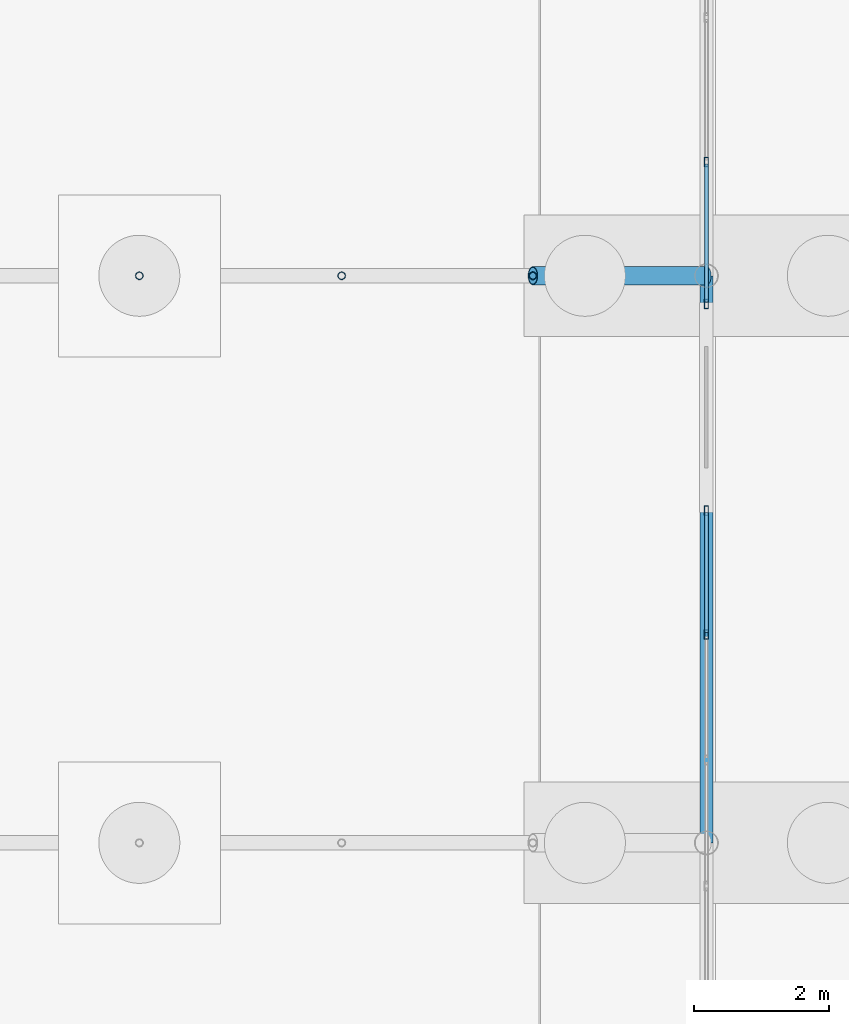
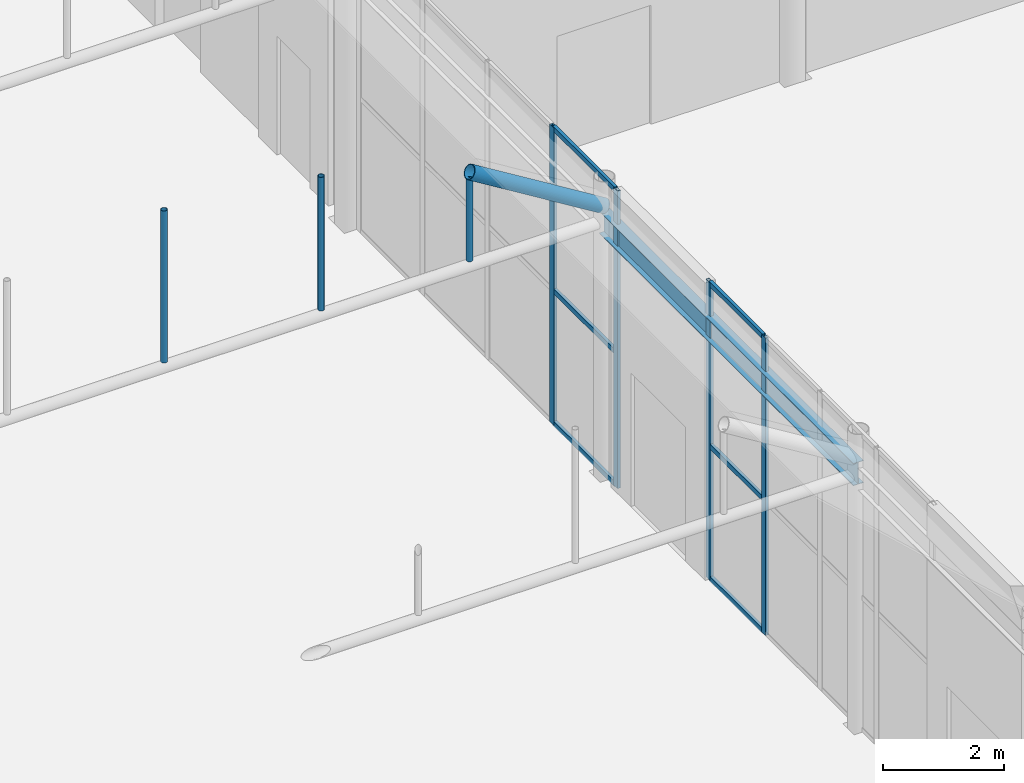
# One storey, part 94 of 212: 14 members, 1 beam, 2 elements without a shape of their own.
"""IFC4 building model written with IfcOpenShell, lengths in metres."""

import ifcopenshell
import ifcopenshell.guid

model = None  # the IFC model being written
_history = None  # IfcOwnerHistory: only IFC2X3 demands one
_inside = {}  # id of a spatial element -> (the spatial element, [elements in it])
_under = {}  # id of a project, library or spatial element -> (it, [spatial elements below it])
_declared = {}  # id of a project -> (the project, [libraries it declares])
_typed = {}  # id of a type object -> (the type object, [elements of that type])
_made_of = {}  # id of a material, layer set ... -> (it, [elements and type objects made of it])


def new_model(schema):
    """Start an empty IFC model of exactly this schema.

    Asked for "IFC4X3", IfcOpenShell would pick the latest addendum, in which some entities
    have other attributes; the version numbers below select the first issue.
    IFC2X3 requires an IfcOwnerHistory on every rooted entity: one is made here for all.
    """
    global model, _history
    if schema == "IFC4X3":
        model = ifcopenshell.file(schema_version=(4, 3, 0, 0))
    else:
        model = ifcopenshell.file(schema=schema)
    _inside.clear()
    _under.clear()
    _declared.clear()
    _typed.clear()
    _made_of.clear()
    _history = None
    if model.schema == "IFC2X3":
        org = make("IfcOrganization", Name="unknown")
        user = make(
            "IfcPersonAndOrganization",
            ThePerson=make("IfcPerson", FamilyName="unknown"),
            TheOrganization=org,
        )
        app = make(
            "IfcApplication",
            ApplicationDeveloper=org,
            Version="unknown",
            ApplicationFullName="unknown",
            ApplicationIdentifier="unknown",
        )
        _history = make(
            "IfcOwnerHistory",
            OwningUser=user,
            OwningApplication=app,
            ChangeAction="ADDED",
            CreationDate=0,
        )
    return model


def make(cls, **values):
    """One entity of the class cls with the attributes given. An attribute that is None is left unset."""
    return model.create_entity(
        cls, **{name: value for name, value in values.items() if value is not None}
    )


def rooted(cls, **values):
    """An entity with a GlobalId (a new one), such as an element, a storey or a relation."""
    return make(cls, GlobalId=ifcopenshell.guid.new(), OwnerHistory=_history, **values)


def si_unit(unit_type, name, prefix=None):
    """IfcSIUnit, for example si_unit("LENGTHUNIT", "METRE", prefix="MILLI")."""
    return make("IfcSIUnit", UnitType=unit_type, Prefix=prefix, Name=name)


def assignment(units):
    """IfcUnitAssignment: the units of a project."""
    return None if units is None else make("IfcUnitAssignment", Units=units)


def point(xyz):
    """IfcCartesianPoint."""
    return None if xyz is None else make("IfcCartesianPoint", Coordinates=xyz)


def direction(xyz):
    """IfcDirection."""
    return None if xyz is None else make("IfcDirection", DirectionRatios=xyz)


def frame(location, z_axis=None, x_axis=None):
    """IfcAxis2Placement3D, a coordinate frame: its origin and axes. An axis left out is left unset."""
    return make(
        "IfcAxis2Placement3D",
        Location=point(location),
        Axis=direction(z_axis),
        RefDirection=direction(x_axis),
    )


def frame_2d(location, x_axis=None):
    """IfcAxis2Placement2D, a coordinate frame in the plane: its origin and x axis."""
    return make(
        "IfcAxis2Placement2D", Location=point(location), RefDirection=direction(x_axis)
    )


def origin():
    """The frame at (0, 0, 0) with its axes left unset."""
    return frame((0.0, 0.0, 0.0))


def origin_2d():
    """The frame at (0, 0) in the plane with its x axis left unset."""
    return frame_2d((0.0, 0.0))


def place(relative_to, where):
    """IfcLocalPlacement: puts the frame where relative to a parent placement (None: the world)."""
    return make(
        "IfcLocalPlacement", PlacementRelTo=relative_to, RelativePlacement=where
    )


def context(
    kind, dimensions, precision=None, world=None, true_north=None, identifier=None
):
    """IfcGeometricRepresentationContext, for example the 3D "Model" context."""
    return make(
        "IfcGeometricRepresentationContext",
        ContextIdentifier=identifier,
        ContextType=kind,
        CoordinateSpaceDimension=dimensions,
        Precision=precision,
        WorldCoordinateSystem=world,
        TrueNorth=true_north,
    )


def subcontext(parent, identifier, kind, view, scale=None):
    """IfcGeometricRepresentationSubContext, for example "Body" below "Model"."""
    return make(
        "IfcGeometricRepresentationSubContext",
        ContextIdentifier=identifier,
        ContextType=kind,
        ParentContext=parent,
        TargetScale=scale,
        TargetView=view,
    )


def project(units=None, contexts=None):
    """IfcProject with its units and contexts."""
    return rooted(
        "IfcProject",
        Name="project",
        RepresentationContexts=contexts,
        UnitsInContext=assignment(units),
    )


def spatial(cls, under=None, at=None, **own):
    """A site, building, storey or space (cls), placed at a placement, below another one or the project."""
    s = rooted(cls, ObjectPlacement=at, **own)
    if under is not None:
        _under.setdefault(under.id(), (under, []))[1].append(s)
    return s


def profile(cls, at=None, kind="AREA", **sizes):
    """A parametric profile (cls). Its sizes go by their IFC names, for example OverallWidth=200.0."""
    return make(cls, ProfileType=kind, Position=at, **sizes)


def hollow_rectangle(**sizes):
    """IfcRectangleHollowProfileDef."""
    return profile("IfcRectangleHollowProfileDef", **sizes)


def hollow_circle(**sizes):
    """IfcCircleHollowProfileDef."""
    return profile("IfcCircleHollowProfileDef", **sizes)


def i_section(**sizes):
    """IfcIShapeProfileDef."""
    return profile("IfcIShapeProfileDef", **sizes)


def extrude(swept, where, along, depth):
    """IfcExtrudedAreaSolid: the profile swept, set in the frame where, extruded along a direction by depth."""
    return make(
        "IfcExtrudedAreaSolid",
        SweptArea=swept,
        Position=where,
        ExtrudedDirection=direction(along),
        Depth=depth,
    )


def shape(context_of_items, identifier, shape_type, items):
    """IfcShapeRepresentation: the items that make up one representation, for example the "Body"."""
    return make(
        "IfcShapeRepresentation",
        ContextOfItems=context_of_items,
        RepresentationIdentifier=identifier,
        RepresentationType=shape_type,
        Items=items,
    )


def material(Name=None, Category=None):
    """IfcMaterial."""
    return make("IfcMaterial", Name=Name, Category=Category)


def material_profile(
    of_material, cross_section, Name=None, Category=None, Priority=None
):
    """IfcMaterialProfile: a cross section and its material."""
    return make(
        "IfcMaterialProfile",
        Name=Name,
        Material=of_material,
        Profile=cross_section,
        Priority=Priority,
        Category=Category,
    )


def profile_set(profiles, Name=None, composite=None):
    """IfcMaterialProfileSet."""
    return make(
        "IfcMaterialProfileSet",
        Name=Name,
        MaterialProfiles=profiles,
        CompositeProfile=composite,
    )


def made_of(thing, what):
    """Note that an element or type object is made of a material, layer set ...; save() writes the relation."""
    if what is not None:
        _made_of.setdefault(what.id(), (what, []))[1].append(thing)
    return thing


def type_object(cls, material=None, **own):
    """A type object (cls), such as IfcWallType, which elements share."""
    return made_of(rooted(cls, **own), material)


def element(
    cls,
    number,
    at=None,
    inside=None,
    cuts=None,
    type_object=None,
    material=None,
    context=None,
    identifier="Body",
    shape_type=None,
    held_by="IfcProductDefinitionShape",
    body=None,
    shapes=None,
    **own,
):
    """One element of the class cls, such as IfcWall. Its Tag is "e" and its number.

    at: its placement. inside: the storey or other place that contains it. cuts: it is an
    opening in that element (IfcRelVoidsElement). A single representation is given by context,
    identifier, shape_type and body (its items); several are given by shapes. held_by: the class
    of the entity that holds the representations. save() writes the other relations.
    """
    e = rooted(cls, Tag="e%d" % number, ObjectPlacement=at, **own)
    if body is not None:
        shapes = [shape(context, identifier, shape_type, body)]
    if shapes is not None:
        e.Representation = make(held_by, Representations=shapes)
    if inside is not None:
        _inside.setdefault(inside.id(), (inside, []))[1].append(e)
    if cuts is not None:
        rooted(
            "IfcRelVoidsElement", RelatingBuildingElement=cuts, RelatedOpeningElement=e
        )
    if type_object is not None:
        _typed.setdefault(type_object.id(), (type_object, []))[1].append(e)
    return made_of(e, material)


def aggregate(whole, parts):
    """IfcRelAggregates: a whole, such as a stair, and the parts it consists of."""
    return rooted("IfcRelAggregates", RelatingObject=whole, RelatedObjects=parts)


def save(model, path):
    """Write the relations noted so far, then the file.

    IfcRelAggregates (storeys below a building ...), IfcRelContainedInSpatialStructure (elements
    in a storey), IfcRelDefinesByType, IfcRelAssociatesMaterial and IfcRelDeclares: one each for
    every whole, place, type object, material and project.
    """
    for whole, parts in _under.values():
        aggregate(whole, parts)
    for where, things in _inside.values():
        rooted(
            "IfcRelContainedInSpatialStructure",
            RelatedElements=things,
            RelatingStructure=where,
        )
    for kind, things in _typed.values():
        rooted("IfcRelDefinesByType", RelatedObjects=things, RelatingType=kind)
    for what, things in _made_of.values():
        rooted("IfcRelAssociatesMaterial", RelatedObjects=things, RelatingMaterial=what)
    for by, libraries in _declared.values():
        rooted("IfcRelDeclares", RelatingContext=by, RelatedDefinitions=libraries)
    model.write(path)


model = new_model("IFC4")

# Units and contexts
model_context = context("Model", 3, precision=1e-05, world=origin(), true_north=direction((0.0, 1.0)))
body_context = subcontext(model_context, "Body", "Model", "MODEL_VIEW")
ifc_project = project(units=[si_unit("LENGTHUNIT", "METRE"), si_unit("AREAUNIT", "SQUARE_METRE"), si_unit("VOLUMEUNIT", "CUBIC_METRE"), si_unit("PLANEANGLEUNIT", "RADIAN"), si_unit("MASSUNIT", "GRAM", prefix="KILO")], contexts=[model_context])

# Site, building, storey
site_placement = place(None, origin())
site = spatial("IfcSite", under=ifc_project, at=site_placement, CompositionType="ELEMENT")
building_placement = place(site_placement, origin())
building = spatial("IfcBuilding", under=site, at=building_placement, Name="Catenary Quay Ferry Terminal", CompositionType="ELEMENT")
storey_placement = place(building_placement, origin())
storey = spatial("IfcBuildingStorey", under=building, at=storey_placement, Name="L00", CompositionType="ELEMENT", Elevation=0.0)

# Beam
ifc_material_1 = material(Name="Steel S355", Category="steel")
ifc_material_profile_1 = material_profile(ifc_material_1, i_section(OverallWidth=0.18994140625, OverallDepth=0.453369140625, WebThickness=0.008544921875, FlangeThickness=0.0126953125, at=origin_2d()), Name="UB 457x191x67")
ifc_profile_set_1 = profile_set([ifc_material_profile_1], Name="Steel S355")
beam_type = type_object("IfcBeamType", Name="B1 UB 457x191x67", PredefinedType="BEAM", material=ifc_profile_set_1)
beam_placement = place(storey_placement, frame((25.199951171875, 84.0, 5.10009765625), z_axis=(0.0, 1.0, 0.0), x_axis=(-1.0, 0.0, 0.0)))
element("IfcBeam", 1, at=beam_placement, inside=storey, type_object=beam_type, Name="Eaves beam B-FD3", PredefinedType="BEAM", context=body_context, shape_type="SweptSolid", body=[
    extrude(i_section(OverallWidth=0.18994140625, OverallDepth=0.453369140625, WebThickness=0.008544921875, FlangeThickness=0.0126953125, at=origin_2d()), origin(), (0.0, 0.0, 1.0), 8.39990234375),
])

# Members
ifc_material_2 = material(Name="Steel S355", Category="steel")
ifc_material_profile_2 = material_profile(ifc_material_2, hollow_circle(Radius=0.05712890625, WallThickness=0.00634765625, at=origin_2d()), Name="CHS 114.3x6.3")
ifc_profile_set_2 = profile_set([ifc_material_profile_2], Name="Steel S355")
member_type_1 = type_object("IfcMemberType", Name="HG1 CHS 114.3x6.3", PredefinedType="POST", material=ifc_profile_set_2)
member_1_placement = place(storey_placement, frame((16.800048828125, 92.39990234375, 5.205078125), z_axis=(0.0, 0.0, 1.0), x_axis=(1.0, 0.0, 0.0)))
element("IfcMember", 2, at=member_1_placement, inside=storey, type_object=member_type_1, Name="Hanger FC-04-03", PredefinedType="POST", context=body_context, shape_type="SweptSolid", body=[
    extrude(hollow_circle(Radius=0.05712890625, WallThickness=0.00634765625, at=origin_2d()), origin(), (0.0, 0.0, 1.0), 3.06494140625),
])
member_2_placement = place(storey_placement, frame((19.797119140625, 92.39990234375, 5.205078125), z_axis=(0.0, 0.0, 1.0), x_axis=(1.0, 0.0, 0.0)))
element("IfcMember", 3, at=member_2_placement, inside=storey, type_object=member_type_1, Name="Hanger FC-04-04", PredefinedType="POST", context=body_context, shape_type="SweptSolid", body=[
    extrude(hollow_circle(Radius=0.05712890625, WallThickness=0.00634765625, at=origin_2d()), origin(), (0.0, 0.0, 1.0), 2.69580078125),
])
member_3_placement = place(storey_placement, frame((22.62890625, 92.39990234375, 5.205078125), z_axis=(0.0, 0.0, 1.0), x_axis=(1.0, 0.0, 0.0)))
element("IfcMember", 4, at=member_3_placement, inside=storey, type_object=member_type_1, Name="Hanger FC-04-05", PredefinedType="POST", context=body_context, shape_type="SweptSolid", body=[
    extrude(hollow_circle(Radius=0.05712890625, WallThickness=0.00634765625, at=origin_2d()), origin(), (0.0, 0.0, 1.0), 1.64892578125),
])

# Curtain wall, members
ifc_material_3 = material(Name="Aluminium and glass", Category="aluminium")
curtain_wall_type = type_object("IfcCurtainWallType", Name="CWG", PredefinedType="NOTDEFINED", material=ifc_material_3)
curtain_wall_1_placement = place(storey_placement, origin())
curtain_wall_1 = element("IfcCurtainWall", 5, at=curtain_wall_1_placement, inside=storey, type_object=curtain_wall_type, Name="Gable arrivals hall curtain wall CW2", PredefinedType="NOTDEFINED")
ifc_material_4 = material(Name="Aluminium", Category="aluminium")
ifc_material_profile_3 = material_profile(ifc_material_4, hollow_rectangle(XDim=0.06005859375, YDim=0.139892578125, WallThickness=0.006103515625, at=origin_2d()), Name="MU2")
ifc_profile_set_3 = profile_set([ifc_material_profile_3], Name="Aluminium")
member_type_2 = type_object("IfcMemberType", Name="MU2", PredefinedType="MULLION", material=ifc_profile_set_3)
member_4_placement = place(storey_placement, frame((25.199951171875, 87.08740234375, 0.0), z_axis=(0.0, 0.0, 1.0), x_axis=(-1.0, 0.0, 0.0)))
member_4 = element("IfcMember", 6, at=member_4_placement, type_object=member_type_2, Name="CW2 mullion 4", PredefinedType="MULLION", context=body_context, shape_type="SweptSolid", body=[
    extrude(hollow_rectangle(XDim=0.06005859375, YDim=0.139892578125, WallThickness=0.006103515625, at=origin_2d()), origin(), (0.0, 0.0, 1.0), 6.0),
])
member_5_placement = place(storey_placement, frame((25.199951171875, 88.919921875, 0.0), z_axis=(0.0, 0.0, 1.0), x_axis=(-1.0, 0.0, 0.0)))
member_5 = element("IfcMember", 7, at=member_5_placement, type_object=member_type_2, Name="CW2 mullion 5", PredefinedType="MULLION", context=body_context, shape_type="SweptSolid", body=[
    extrude(hollow_rectangle(XDim=0.06005859375, YDim=0.139892578125, WallThickness=0.006103515625, at=origin_2d()), origin(), (0.0, 0.0, 1.0), 6.0),
])

curtain_wall_2_placement = place(storey_placement, origin())
curtain_wall_2 = element("IfcCurtainWall", 8, at=curtain_wall_2_placement, inside=storey, type_object=curtain_wall_type, Name="Gable arrivals hall curtain wall CW3", PredefinedType="NOTDEFINED")
member_6_placement = place(storey_placement, frame((25.199951171875, 91.97998046875, 0.0), z_axis=(0.0, 0.0, 1.0), x_axis=(-1.0, 0.0, 0.0)))
member_6 = element("IfcMember", 9, at=member_6_placement, type_object=member_type_2, Name="CW3 mullion 1", PredefinedType="MULLION", context=body_context, shape_type="SweptSolid", body=[
    extrude(hollow_rectangle(XDim=0.06005859375, YDim=0.139892578125, WallThickness=0.006103515625, at=origin_2d()), origin(), (0.0, 0.0, 1.0), 6.0),
])
member_7_placement = place(storey_placement, frame((25.199951171875, 94.08740234375, 0.0), z_axis=(0.0, 0.0, 1.0), x_axis=(-1.0, 0.0, 0.0)))
member_7 = element("IfcMember", 10, at=member_7_placement, type_object=member_type_2, Name="CW3 mullion 2", PredefinedType="MULLION", context=body_context, shape_type="SweptSolid", body=[
    extrude(hollow_rectangle(XDim=0.06005859375, YDim=0.139892578125, WallThickness=0.006103515625, at=origin_2d()), origin(), (0.0, 0.0, 1.0), 6.0),
])

# Member
ifc_material_5 = material(Name="Aluminium", Category="aluminium")
ifc_material_profile_4 = material_profile(ifc_material_5, hollow_rectangle(XDim=0.06005859375, YDim=0.10009765625, WallThickness=0.0048828125, at=origin_2d()), Name="TR2")
ifc_profile_set_4 = profile_set([ifc_material_profile_4], Name="Aluminium")
member_type_3 = type_object("IfcMemberType", Name="TR2", PredefinedType="USERDEFINED", material=ifc_profile_set_4)
member_8_placement = place(storey_placement, frame((25.199951171875, 87.117431640625, 0.030029296875), z_axis=(0.0, 1.0, 0.0), x_axis=(-1.0, 0.0, 0.0)))
member_8 = element("IfcMember", 11, at=member_8_placement, type_object=member_type_3, Name="CW2 transom 4.1", ObjectType="TRANSOM", PredefinedType="USERDEFINED", context=body_context, shape_type="SweptSolid", body=[
    extrude(hollow_rectangle(XDim=0.06005859375, YDim=0.10009765625, WallThickness=0.0048828125, at=origin_2d()), origin(), (0.0, 0.0, 1.0), 1.7724609375),
])

member_9_placement = place(storey_placement, frame((25.199951171875, 87.117431640625, 2.699951171875), z_axis=(0.0, 1.0, 0.0), x_axis=(-1.0, 0.0, 0.0)))
member_9 = element("IfcMember", 12, at=member_9_placement, type_object=member_type_3, Name="CW2 transom 4.2", ObjectType="TRANSOM", PredefinedType="USERDEFINED", context=body_context, shape_type="SweptSolid", body=[
    extrude(hollow_rectangle(XDim=0.06005859375, YDim=0.10009765625, WallThickness=0.0048828125, at=origin_2d()), origin(), (0.0, 0.0, 1.0), 1.7724609375),
])

member_10_placement = place(storey_placement, frame((25.199951171875, 87.117431640625, 5.969970703125), z_axis=(0.0, 1.0, 0.0), x_axis=(-1.0, 0.0, 0.0)))
member_10 = element("IfcMember", 13, at=member_10_placement, type_object=member_type_3, Name="CW2 transom 4.3", ObjectType="TRANSOM", PredefinedType="USERDEFINED", context=body_context, shape_type="SweptSolid", body=[
    extrude(hollow_rectangle(XDim=0.06005859375, YDim=0.10009765625, WallThickness=0.0048828125, at=origin_2d()), origin(), (0.0, 0.0, 1.0), 1.7724609375),
])

aggregate(curtain_wall_1, [member_4, member_5, member_8, member_9, member_10])

member_11_placement = place(storey_placement, frame((25.199951171875, 92.010009765625, 0.030029296875), z_axis=(0.0, 1.0, 0.0), x_axis=(-1.0, 0.0, 0.0)))
member_11 = element("IfcMember", 14, at=member_11_placement, type_object=member_type_3, Name="CW3 transom 1.1", ObjectType="TRANSOM", PredefinedType="USERDEFINED", context=body_context, shape_type="SweptSolid", body=[
    extrude(hollow_rectangle(XDim=0.06005859375, YDim=0.10009765625, WallThickness=0.0048828125, at=origin_2d()), origin(), (0.0, 0.0, 1.0), 2.047607421875),
])

member_12_placement = place(storey_placement, frame((25.199951171875, 92.010009765625, 2.699951171875), z_axis=(0.0, 1.0, 0.0), x_axis=(-1.0, 0.0, 0.0)))
member_12 = element("IfcMember", 15, at=member_12_placement, type_object=member_type_3, Name="CW3 transom 1.2", ObjectType="TRANSOM", PredefinedType="USERDEFINED", context=body_context, shape_type="SweptSolid", body=[
    extrude(hollow_rectangle(XDim=0.06005859375, YDim=0.10009765625, WallThickness=0.0048828125, at=origin_2d()), origin(), (0.0, 0.0, 1.0), 2.047607421875),
])

member_13_placement = place(storey_placement, frame((25.199951171875, 92.010009765625, 5.969970703125), z_axis=(0.0, 1.0, 0.0), x_axis=(-1.0, 0.0, 0.0)))
member_13 = element("IfcMember", 16, at=member_13_placement, type_object=member_type_3, Name="CW3 transom 1.3", ObjectType="TRANSOM", PredefinedType="USERDEFINED", context=body_context, shape_type="SweptSolid", body=[
    extrude(hollow_rectangle(XDim=0.06005859375, YDim=0.10009765625, WallThickness=0.0048828125, at=origin_2d()), origin(), (0.0, 0.0, 1.0), 2.047607421875),
])

aggregate(curtain_wall_2, [member_6, member_7, member_11, member_12, member_13])

ifc_material_6 = material(Name="Steel S355", Category="steel")
ifc_material_profile_5 = material_profile(ifc_material_6, hollow_circle(Radius=0.136474609375, WallThickness=0.012451171875, at=origin_2d()), Name="CHS 273x12.5")
ifc_profile_set_5 = profile_set([ifc_material_profile_5], Name="Steel S355")
member_type_4 = type_object("IfcMemberType", Name="VR2 CHS 273x12.5", PredefinedType="RAFTER", material=ifc_profile_set_5)
member_14_placement = place(storey_placement, frame((22.62890625, 92.39990234375, 6.98388671875), z_axis=(0.851391726314, 0.0, -0.524530388408), x_axis=(0.0, 1.0, 0.0)))
element("IfcMember", 17, at=member_14_placement, inside=storey, type_object=member_type_4, Name="rib FC-04-06", PredefinedType="RAFTER", context=body_context, shape_type="SweptSolid", body=[
    extrude(hollow_circle(Radius=0.136474609375, WallThickness=0.012451171875, at=origin_2d()), origin(), (0.0, 0.0, 1.0), 3.019775390625),
])

save(model, "model.ifc")
